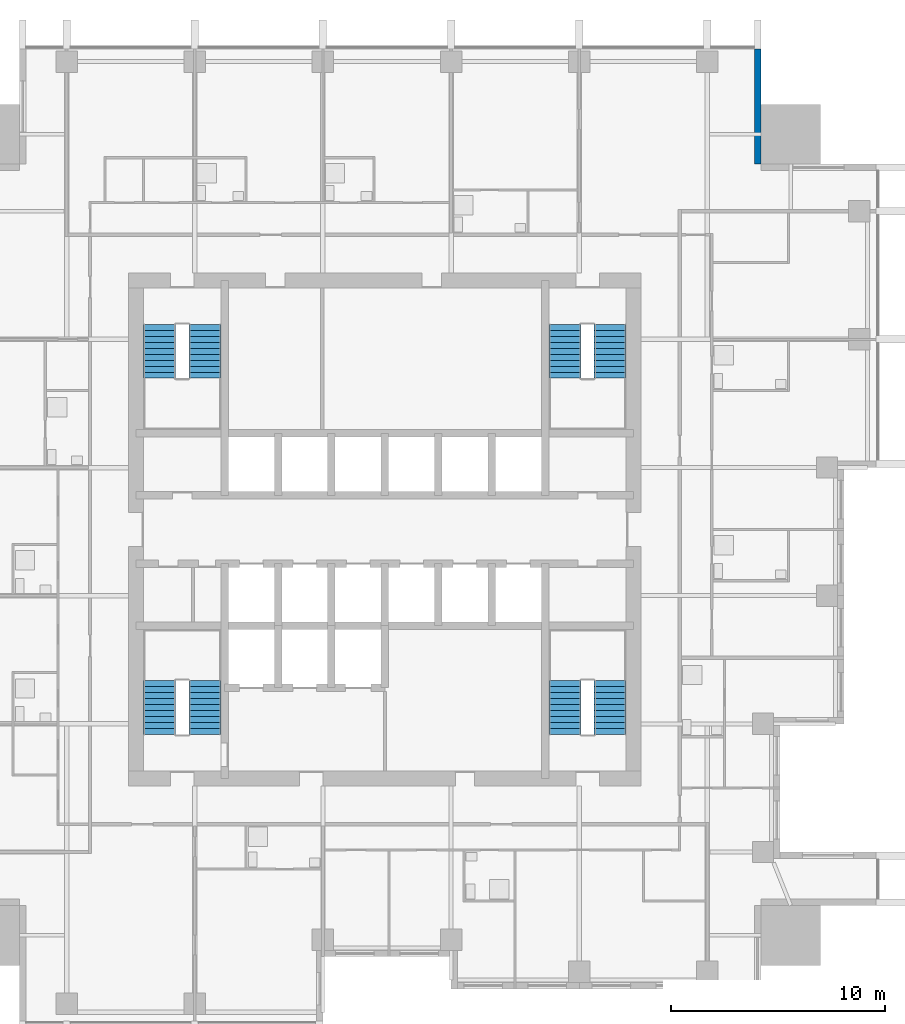
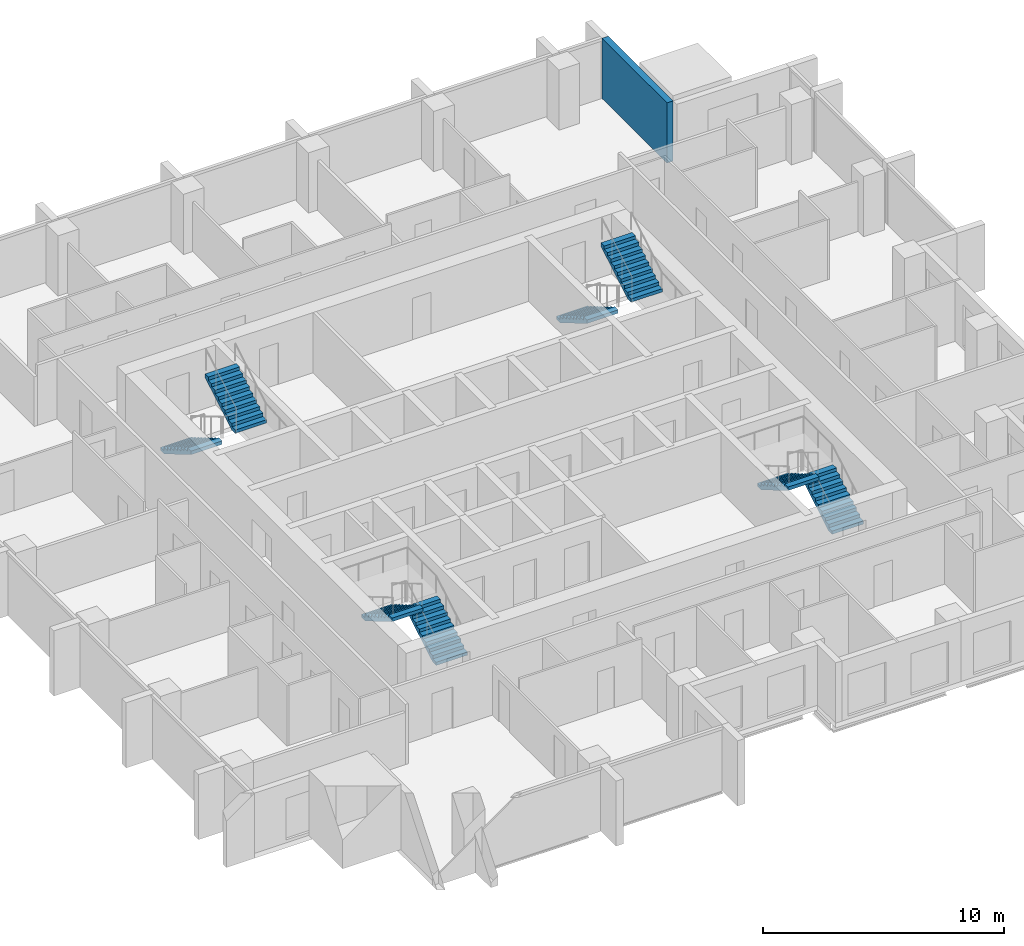
# One storey, part 8 of 10: 8 stair flights, 1 wall, 4 elements without a shape of their own.
"""IFC4 building model written with IfcOpenShell, lengths in metres."""

import ifcopenshell
import ifcopenshell.guid

model = None  # the IFC model being written
_history = None  # IfcOwnerHistory: only IFC2X3 demands one
_inside = {}  # id of a spatial element -> (the spatial element, [elements in it])
_under = {}  # id of a project, library or spatial element -> (it, [spatial elements below it])
_declared = {}  # id of a project -> (the project, [libraries it declares])
_typed = {}  # id of a type object -> (the type object, [elements of that type])
_made_of = {}  # id of a material, layer set ... -> (it, [elements and type objects made of it])


def new_model(schema):
    """Start an empty IFC model of exactly this schema.

    Asked for "IFC4X3", IfcOpenShell would pick the latest addendum, in which some entities
    have other attributes; the version numbers below select the first issue.
    IFC2X3 requires an IfcOwnerHistory on every rooted entity: one is made here for all.
    """
    global model, _history
    if schema == "IFC4X3":
        model = ifcopenshell.file(schema_version=(4, 3, 0, 0))
    else:
        model = ifcopenshell.file(schema=schema)
    _inside.clear()
    _under.clear()
    _declared.clear()
    _typed.clear()
    _made_of.clear()
    _history = None
    if model.schema == "IFC2X3":
        org = make("IfcOrganization", Name="unknown")
        user = make(
            "IfcPersonAndOrganization",
            ThePerson=make("IfcPerson", FamilyName="unknown"),
            TheOrganization=org,
        )
        app = make(
            "IfcApplication",
            ApplicationDeveloper=org,
            Version="unknown",
            ApplicationFullName="unknown",
            ApplicationIdentifier="unknown",
        )
        _history = make(
            "IfcOwnerHistory",
            OwningUser=user,
            OwningApplication=app,
            ChangeAction="ADDED",
            CreationDate=0,
        )
    return model


def make(cls, **values):
    """One entity of the class cls with the attributes given. An attribute that is None is left unset."""
    return model.create_entity(
        cls, **{name: value for name, value in values.items() if value is not None}
    )


def rooted(cls, **values):
    """An entity with a GlobalId (a new one), such as an element, a storey or a relation."""
    return make(cls, GlobalId=ifcopenshell.guid.new(), OwnerHistory=_history, **values)


def si_unit(unit_type, name, prefix=None):
    """IfcSIUnit, for example si_unit("LENGTHUNIT", "METRE", prefix="MILLI")."""
    return make("IfcSIUnit", UnitType=unit_type, Prefix=prefix, Name=name)


def assignment(units):
    """IfcUnitAssignment: the units of a project."""
    return None if units is None else make("IfcUnitAssignment", Units=units)


def point(xyz):
    """IfcCartesianPoint."""
    return None if xyz is None else make("IfcCartesianPoint", Coordinates=xyz)


def direction(xyz):
    """IfcDirection."""
    return None if xyz is None else make("IfcDirection", DirectionRatios=xyz)


def frame(location, z_axis=None, x_axis=None):
    """IfcAxis2Placement3D, a coordinate frame: its origin and axes. An axis left out is left unset."""
    return make(
        "IfcAxis2Placement3D",
        Location=point(location),
        Axis=direction(z_axis),
        RefDirection=direction(x_axis),
    )


def frame_2d(location, x_axis=None):
    """IfcAxis2Placement2D, a coordinate frame in the plane: its origin and x axis."""
    return make(
        "IfcAxis2Placement2D", Location=point(location), RefDirection=direction(x_axis)
    )


def origin():
    """The frame at (0, 0, 0) with its axes left unset."""
    return frame((0.0, 0.0, 0.0))


def place(relative_to, where):
    """IfcLocalPlacement: puts the frame where relative to a parent placement (None: the world)."""
    return make(
        "IfcLocalPlacement", PlacementRelTo=relative_to, RelativePlacement=where
    )


def context(
    kind, dimensions, precision=None, world=None, true_north=None, identifier=None
):
    """IfcGeometricRepresentationContext, for example the 3D "Model" context."""
    return make(
        "IfcGeometricRepresentationContext",
        ContextIdentifier=identifier,
        ContextType=kind,
        CoordinateSpaceDimension=dimensions,
        Precision=precision,
        WorldCoordinateSystem=world,
        TrueNorth=true_north,
    )


def subcontext(parent, identifier, kind, view, scale=None):
    """IfcGeometricRepresentationSubContext, for example "Body" below "Model"."""
    return make(
        "IfcGeometricRepresentationSubContext",
        ContextIdentifier=identifier,
        ContextType=kind,
        ParentContext=parent,
        TargetScale=scale,
        TargetView=view,
    )


def project(units=None, contexts=None):
    """IfcProject with its units and contexts."""
    return rooted(
        "IfcProject",
        Name="project",
        RepresentationContexts=contexts,
        UnitsInContext=assignment(units),
    )


def spatial(cls, under=None, at=None, **own):
    """A site, building, storey or space (cls), placed at a placement, below another one or the project."""
    s = rooted(cls, ObjectPlacement=at, **own)
    if under is not None:
        _under.setdefault(under.id(), (under, []))[1].append(s)
    return s


def polyline(points):
    """IfcPolyline through the points."""
    return make("IfcPolyline", Points=[point(p) for p in points])


def profile(cls, at=None, kind="AREA", **sizes):
    """A parametric profile (cls). Its sizes go by their IFC names, for example OverallWidth=200.0."""
    return make(cls, ProfileType=kind, Position=at, **sizes)


def rectangle(**sizes):
    """IfcRectangleProfileDef."""
    return profile("IfcRectangleProfileDef", **sizes)


def outline(outer, holes=None, kind="AREA"):
    """IfcArbitraryClosedProfileDef: a profile drawn as a closed curve; with holes, ...WithVoids."""
    if holes is None:
        return make("IfcArbitraryClosedProfileDef", ProfileType=kind, OuterCurve=outer)
    return make(
        "IfcArbitraryProfileDefWithVoids",
        ProfileType=kind,
        OuterCurve=outer,
        InnerCurves=holes,
    )


def extrude(swept, where, along, depth):
    """IfcExtrudedAreaSolid: the profile swept, set in the frame where, extruded along a direction by depth."""
    return make(
        "IfcExtrudedAreaSolid",
        SweptArea=swept,
        Position=where,
        ExtrudedDirection=direction(along),
        Depth=depth,
    )


def shape(context_of_items, identifier, shape_type, items):
    """IfcShapeRepresentation: the items that make up one representation, for example the "Body"."""
    return make(
        "IfcShapeRepresentation",
        ContextOfItems=context_of_items,
        RepresentationIdentifier=identifier,
        RepresentationType=shape_type,
        Items=items,
    )


def material(Name=None, Category=None):
    """IfcMaterial."""
    return make("IfcMaterial", Name=Name, Category=Category)


def layer(
    of_material, thickness, ventilated=None, Name=None, Category=None, Priority=None
):
    """IfcMaterialLayer: one layer of a wall or slab, of a material (None: an air gap)."""
    return make(
        "IfcMaterialLayer",
        Material=of_material,
        LayerThickness=thickness,
        IsVentilated=ventilated,
        Name=Name,
        Category=Category,
        Priority=Priority,
    )


def layer_set(layers, Name=None):
    """IfcMaterialLayerSet."""
    return make("IfcMaterialLayerSet", MaterialLayers=layers, LayerSetName=Name)


def made_of(thing, what):
    """Note that an element or type object is made of a material, layer set ...; save() writes the relation."""
    if what is not None:
        _made_of.setdefault(what.id(), (what, []))[1].append(thing)
    return thing


def type_object(cls, material=None, **own):
    """A type object (cls), such as IfcWallType, which elements share."""
    return made_of(rooted(cls, **own), material)


def element(
    cls,
    number,
    at=None,
    inside=None,
    cuts=None,
    type_object=None,
    material=None,
    context=None,
    identifier="Body",
    shape_type=None,
    held_by="IfcProductDefinitionShape",
    body=None,
    shapes=None,
    **own,
):
    """One element of the class cls, such as IfcWall. Its Tag is "e" and its number.

    at: its placement. inside: the storey or other place that contains it. cuts: it is an
    opening in that element (IfcRelVoidsElement). A single representation is given by context,
    identifier, shape_type and body (its items); several are given by shapes. held_by: the class
    of the entity that holds the representations. save() writes the other relations.
    """
    e = rooted(cls, Tag="e%d" % number, ObjectPlacement=at, **own)
    if body is not None:
        shapes = [shape(context, identifier, shape_type, body)]
    if shapes is not None:
        e.Representation = make(held_by, Representations=shapes)
    if inside is not None:
        _inside.setdefault(inside.id(), (inside, []))[1].append(e)
    if cuts is not None:
        rooted(
            "IfcRelVoidsElement", RelatingBuildingElement=cuts, RelatedOpeningElement=e
        )
    if type_object is not None:
        _typed.setdefault(type_object.id(), (type_object, []))[1].append(e)
    return made_of(e, material)


def aggregate(whole, parts):
    """IfcRelAggregates: a whole, such as a stair, and the parts it consists of."""
    return rooted("IfcRelAggregates", RelatingObject=whole, RelatedObjects=parts)


def save(model, path):
    """Write the relations noted so far, then the file.

    IfcRelAggregates (storeys below a building ...), IfcRelContainedInSpatialStructure (elements
    in a storey), IfcRelDefinesByType, IfcRelAssociatesMaterial and IfcRelDeclares: one each for
    every whole, place, type object, material and project.
    """
    for whole, parts in _under.values():
        aggregate(whole, parts)
    for where, things in _inside.values():
        rooted(
            "IfcRelContainedInSpatialStructure",
            RelatedElements=things,
            RelatingStructure=where,
        )
    for kind, things in _typed.values():
        rooted("IfcRelDefinesByType", RelatedObjects=things, RelatingType=kind)
    for what, things in _made_of.values():
        rooted("IfcRelAssociatesMaterial", RelatedObjects=things, RelatingMaterial=what)
    for by, libraries in _declared.values():
        rooted("IfcRelDeclares", RelatingContext=by, RelatedDefinitions=libraries)
    model.write(path)


model = new_model("IFC4")

# Units and contexts
model_context = context("Model", 3, precision=1e-05, world=origin(), true_north=direction((0.0, 1.0)))
body_context = subcontext(model_context, "Body", "Model", "MODEL_VIEW")
ifc_project = project(units=[si_unit("LENGTHUNIT", "METRE"), si_unit("AREAUNIT", "SQUARE_METRE"), si_unit("VOLUMEUNIT", "CUBIC_METRE"), si_unit("PLANEANGLEUNIT", "RADIAN"), si_unit("MASSUNIT", "GRAM", prefix="KILO")], contexts=[model_context])

# Site, building, storey
site_placement = place(None, origin())
site = spatial("IfcSite", under=ifc_project, at=site_placement, CompositionType="ELEMENT")
building_placement = place(site_placement, origin())
building = spatial("IfcBuilding", under=site, at=building_placement, Name="Amberfall Residences", CompositionType="ELEMENT")
storey_placement = place(building_placement, frame((0.0, 0.0, 137.199951171875)))
storey = spatial("IfcBuildingStorey", under=building, at=storey_placement, Name="L36", CompositionType="ELEMENT", Elevation=137.199951171875)

# Wall
ifc_material_1 = material(Name="Pale stone cladding on insulated backing", Category="masonry")
ifc_layer = layer(ifc_material_1, 0.300048828125)
ifc_layer_set = layer_set([ifc_layer], Name="Bronze clad wall 300")
wall_type = type_object("IfcWallType", Name="Bronze clad wall 300", PredefinedType="SOLIDWALL", material=ifc_layer_set)
wall_placement = place(storey_placement, frame((91.949951171875, 62.60009765625, 0.0), z_axis=(0.0, 0.0, 1.0), x_axis=(0.0, 1.0, 0.0)))
element("IfcWall", 1, at=wall_placement, inside=storey, type_object=wall_type, Name="External wall L36 NE", PredefinedType="SOLIDWALL", context=body_context, shape_type="SweptSolid", body=[
    extrude(rectangle(XDim=5.39990234375, YDim=0.300048828125, at=frame_2d((2.699951171875, 0.0))), origin(), (0.0, 0.0, 1.0), 3.050048828125),
])

# Stair, stair flights
ifc_material_2 = material(Name="Concrete C40", Category="concrete")
stair_type = type_object("IfcStairType", Name="Exit stair 20 risers 165.0 mm", PredefinedType="HALF_TURN_STAIR", material=ifc_material_2)
stair_1_placement = place(storey_placement, origin())
stair_1 = element("IfcStair", 2, at=stair_1_placement, inside=storey, type_object=stair_type, Name="L36 Exit stair 1", PredefinedType="HALF_TURN_STAIR")
stair_flight_type = type_object("IfcStairFlightType", Name="Stair flight 10 risers 165.0 mm", PredefinedType="STRAIGHT", material=ifc_material_2)
stair_flight_1_placement = place(storey_placement, frame((66.074951171875, 35.89990234375, 0.0), z_axis=(0.0, 0.0, 1.0), x_axis=(0.0, 1.0, 0.0)))
stair_flight_1 = element("IfcStairFlight", 3, at=stair_flight_1_placement, type_object=stair_flight_type, Name="ST3 flight 1", NumberOfRisers=10, NumberOfTreads=9, PredefinedType="STRAIGHT", RiserHeight=0.165, TreadLength=0.28, context=body_context, shape_type="SweptSolid", body=[
    extrude(outline(polyline([(0.0, 0.0), (0.0, 0.1650390625), (0.280029296875, 0.1650390625), (0.280029296875, 0.330078125), (0.56005859375, 0.330078125), (0.56005859375, 0.4951171875), (0.840087890625, 0.4951171875), (0.840087890625, 0.659912109375), (1.1201171875, 0.659912109375), (1.1201171875, 0.824951171875), (1.39990234375, 0.824951171875), (1.39990234375, 0.989990234375), (1.679931640625, 0.989990234375), (1.679931640625, 1.155029296875), (1.9599609375, 1.155029296875), (1.9599609375, 1.320068359375), (2.239990234375, 1.320068359375), (2.239990234375, 1.485107421875), (2.52001953125, 1.485107421875), (2.52001953125, 1.64990234375), (2.52001953125, 1.31103515625), (0.295166015625, 0.0), (0.0, 0.0)])), frame((0.0, 0.75, 0.0), z_axis=(0.0, -1.0, 0.0), x_axis=(1.0, 0.0, 0.0)), (0.0, 0.0, 1.0), 1.5),
])
stair_flight_2_placement = place(storey_placement, frame((63.949951171875, 38.419921875, 1.650146484375), z_axis=(0.0, 0.0, 1.0), x_axis=(0.0, -1.0, 0.0)))
stair_flight_2 = element("IfcStairFlight", 4, at=stair_flight_2_placement, type_object=stair_flight_type, Name="ST3 flight 2", NumberOfRisers=10, NumberOfTreads=9, PredefinedType="STRAIGHT", RiserHeight=0.165, TreadLength=0.28, context=body_context, shape_type="SweptSolid", body=[
    extrude(outline(polyline([(0.0, 0.0), (0.0, 0.1650390625), (0.280029296875, 0.1650390625), (0.280029296875, 0.330078125), (0.56005859375, 0.330078125), (0.56005859375, 0.4951171875), (0.840087890625, 0.4951171875), (0.840087890625, 0.659912109375), (1.1201171875, 0.659912109375), (1.1201171875, 0.824951171875), (1.39990234375, 0.824951171875), (1.39990234375, 0.989990234375), (1.679931640625, 0.989990234375), (1.679931640625, 1.155029296875), (1.9599609375, 1.155029296875), (1.9599609375, 1.320068359375), (2.239990234375, 1.320068359375), (2.239990234375, 1.485107421875), (2.52001953125, 1.485107421875), (2.52001953125, 1.64990234375), (2.52001953125, 1.31103515625), (0.295166015625, 0.0), (0.0, 0.0)])), frame((0.0, 0.75, 0.0), z_axis=(0.0, -1.0, 0.0), x_axis=(1.0, 0.0, 0.0)), (0.0, 0.0, 1.0), 1.5),
])
aggregate(stair_1, [stair_flight_1, stair_flight_2])

stair_2_placement = place(storey_placement, origin())
stair_2 = element("IfcStair", 5, at=stair_2_placement, inside=storey, type_object=stair_type, Name="L36 Exit stair 2", PredefinedType="HALF_TURN_STAIR")
stair_flight_3_placement = place(storey_placement, frame((85.050048828125, 35.89990234375, 0.0), z_axis=(0.0, 0.0, 1.0), x_axis=(0.0, 1.0, 0.0)))
stair_flight_3 = element("IfcStairFlight", 6, at=stair_flight_3_placement, type_object=stair_flight_type, Name="ST3 flight 1", NumberOfRisers=10, NumberOfTreads=9, PredefinedType="STRAIGHT", RiserHeight=0.165, TreadLength=0.28, context=body_context, shape_type="SweptSolid", body=[
    extrude(outline(polyline([(0.0, 0.0), (0.0, 0.1650390625), (0.280029296875, 0.1650390625), (0.280029296875, 0.330078125), (0.56005859375, 0.330078125), (0.56005859375, 0.4951171875), (0.840087890625, 0.4951171875), (0.840087890625, 0.659912109375), (1.1201171875, 0.659912109375), (1.1201171875, 0.824951171875), (1.39990234375, 0.824951171875), (1.39990234375, 0.989990234375), (1.679931640625, 0.989990234375), (1.679931640625, 1.155029296875), (1.9599609375, 1.155029296875), (1.9599609375, 1.320068359375), (2.239990234375, 1.320068359375), (2.239990234375, 1.485107421875), (2.52001953125, 1.485107421875), (2.52001953125, 1.64990234375), (2.52001953125, 1.31103515625), (0.295166015625, 0.0), (0.0, 0.0)])), frame((0.0, 0.75, 0.0), z_axis=(0.0, -1.0, 0.0), x_axis=(1.0, 0.0, 0.0)), (0.0, 0.0, 1.0), 1.5),
])
stair_flight_4_placement = place(storey_placement, frame((82.925048828125, 38.419921875, 1.650146484375), z_axis=(0.0, 0.0, 1.0), x_axis=(0.0, -1.0, 0.0)))
stair_flight_4 = element("IfcStairFlight", 7, at=stair_flight_4_placement, type_object=stair_flight_type, Name="ST3 flight 2", NumberOfRisers=10, NumberOfTreads=9, PredefinedType="STRAIGHT", RiserHeight=0.165, TreadLength=0.28, context=body_context, shape_type="SweptSolid", body=[
    extrude(outline(polyline([(0.0, 0.0), (0.0, 0.1650390625), (0.280029296875, 0.1650390625), (0.280029296875, 0.330078125), (0.56005859375, 0.330078125), (0.56005859375, 0.4951171875), (0.840087890625, 0.4951171875), (0.840087890625, 0.659912109375), (1.1201171875, 0.659912109375), (1.1201171875, 0.824951171875), (1.39990234375, 0.824951171875), (1.39990234375, 0.989990234375), (1.679931640625, 0.989990234375), (1.679931640625, 1.155029296875), (1.9599609375, 1.155029296875), (1.9599609375, 1.320068359375), (2.239990234375, 1.320068359375), (2.239990234375, 1.485107421875), (2.52001953125, 1.485107421875), (2.52001953125, 1.64990234375), (2.52001953125, 1.31103515625), (0.295166015625, 0.0), (0.0, 0.0)])), frame((0.0, 0.75, 0.0), z_axis=(0.0, -1.0, 0.0), x_axis=(1.0, 0.0, 0.0)), (0.0, 0.0, 1.0), 1.5),
])
aggregate(stair_2, [stair_flight_3, stair_flight_4])

stair_3_placement = place(storey_placement, origin())
stair_3 = element("IfcStair", 8, at=stair_3_placement, inside=storey, type_object=stair_type, Name="L36 Exit stair 3", PredefinedType="HALF_TURN_STAIR")
stair_flight_5_placement = place(storey_placement, frame((82.925048828125, 55.10009765625, 0.0), z_axis=(0.0, 0.0, 1.0), x_axis=(0.0, -1.0, 0.0)))
stair_flight_5 = element("IfcStairFlight", 9, at=stair_flight_5_placement, type_object=stair_flight_type, Name="ST3 flight 1", NumberOfRisers=10, NumberOfTreads=9, PredefinedType="STRAIGHT", RiserHeight=0.165, TreadLength=0.28, context=body_context, shape_type="SweptSolid", body=[
    extrude(outline(polyline([(0.0, 0.0), (0.0, 0.1650390625), (0.280029296875, 0.1650390625), (0.280029296875, 0.330078125), (0.56005859375, 0.330078125), (0.56005859375, 0.4951171875), (0.840087890625, 0.4951171875), (0.840087890625, 0.659912109375), (1.1201171875, 0.659912109375), (1.1201171875, 0.824951171875), (1.39990234375, 0.824951171875), (1.39990234375, 0.989990234375), (1.679931640625, 0.989990234375), (1.679931640625, 1.155029296875), (1.9599609375, 1.155029296875), (1.9599609375, 1.320068359375), (2.239990234375, 1.320068359375), (2.239990234375, 1.485107421875), (2.52001953125, 1.485107421875), (2.52001953125, 1.64990234375), (2.52001953125, 1.31103515625), (0.295166015625, 0.0), (0.0, 0.0)])), frame((0.0, 0.75, 0.0), z_axis=(0.0, -1.0, 0.0), x_axis=(1.0, 0.0, 0.0)), (0.0, 0.0, 1.0), 1.5),
])
stair_flight_6_placement = place(storey_placement, frame((85.050048828125, 52.580078125, 1.650146484375), z_axis=(0.0, 0.0, 1.0), x_axis=(0.0, 1.0, 0.0)))
stair_flight_6 = element("IfcStairFlight", 10, at=stair_flight_6_placement, type_object=stair_flight_type, Name="ST3 flight 2", NumberOfRisers=10, NumberOfTreads=9, PredefinedType="STRAIGHT", RiserHeight=0.165, TreadLength=0.28, context=body_context, shape_type="SweptSolid", body=[
    extrude(outline(polyline([(0.0, 0.0), (0.0, 0.1650390625), (0.280029296875, 0.1650390625), (0.280029296875, 0.330078125), (0.56005859375, 0.330078125), (0.56005859375, 0.4951171875), (0.840087890625, 0.4951171875), (0.840087890625, 0.659912109375), (1.1201171875, 0.659912109375), (1.1201171875, 0.824951171875), (1.39990234375, 0.824951171875), (1.39990234375, 0.989990234375), (1.679931640625, 0.989990234375), (1.679931640625, 1.155029296875), (1.9599609375, 1.155029296875), (1.9599609375, 1.320068359375), (2.239990234375, 1.320068359375), (2.239990234375, 1.485107421875), (2.52001953125, 1.485107421875), (2.52001953125, 1.64990234375), (2.52001953125, 1.31103515625), (0.295166015625, 0.0), (0.0, 0.0)])), frame((0.0, 0.75, 0.0), z_axis=(0.0, -1.0, 0.0), x_axis=(1.0, 0.0, 0.0)), (0.0, 0.0, 1.0), 1.5),
])
aggregate(stair_3, [stair_flight_5, stair_flight_6])

stair_4_placement = place(storey_placement, origin())
stair_4 = element("IfcStair", 11, at=stair_4_placement, inside=storey, type_object=stair_type, Name="L36 Exit stair 4", PredefinedType="HALF_TURN_STAIR")
stair_flight_7_placement = place(storey_placement, frame((63.949951171875, 55.10009765625, 0.0), z_axis=(0.0, 0.0, 1.0), x_axis=(0.0, -1.0, 0.0)))
stair_flight_7 = element("IfcStairFlight", 12, at=stair_flight_7_placement, type_object=stair_flight_type, Name="ST3 flight 1", NumberOfRisers=10, NumberOfTreads=9, PredefinedType="STRAIGHT", RiserHeight=0.165, TreadLength=0.28, context=body_context, shape_type="SweptSolid", body=[
    extrude(outline(polyline([(0.0, 0.0), (0.0, 0.1650390625), (0.280029296875, 0.1650390625), (0.280029296875, 0.330078125), (0.56005859375, 0.330078125), (0.56005859375, 0.4951171875), (0.840087890625, 0.4951171875), (0.840087890625, 0.659912109375), (1.1201171875, 0.659912109375), (1.1201171875, 0.824951171875), (1.39990234375, 0.824951171875), (1.39990234375, 0.989990234375), (1.679931640625, 0.989990234375), (1.679931640625, 1.155029296875), (1.9599609375, 1.155029296875), (1.9599609375, 1.320068359375), (2.239990234375, 1.320068359375), (2.239990234375, 1.485107421875), (2.52001953125, 1.485107421875), (2.52001953125, 1.64990234375), (2.52001953125, 1.31103515625), (0.295166015625, 0.0), (0.0, 0.0)])), frame((0.0, 0.75, 0.0), z_axis=(0.0, -1.0, 0.0), x_axis=(1.0, 0.0, 0.0)), (0.0, 0.0, 1.0), 1.5),
])
stair_flight_8_placement = place(storey_placement, frame((66.074951171875, 52.580078125, 1.650146484375), z_axis=(0.0, 0.0, 1.0), x_axis=(0.0, 1.0, 0.0)))
stair_flight_8 = element("IfcStairFlight", 13, at=stair_flight_8_placement, type_object=stair_flight_type, Name="ST3 flight 2", NumberOfRisers=10, NumberOfTreads=9, PredefinedType="STRAIGHT", RiserHeight=0.165, TreadLength=0.28, context=body_context, shape_type="SweptSolid", body=[
    extrude(outline(polyline([(0.0, 0.0), (0.0, 0.1650390625), (0.280029296875, 0.1650390625), (0.280029296875, 0.330078125), (0.56005859375, 0.330078125), (0.56005859375, 0.4951171875), (0.840087890625, 0.4951171875), (0.840087890625, 0.659912109375), (1.1201171875, 0.659912109375), (1.1201171875, 0.824951171875), (1.39990234375, 0.824951171875), (1.39990234375, 0.989990234375), (1.679931640625, 0.989990234375), (1.679931640625, 1.155029296875), (1.9599609375, 1.155029296875), (1.9599609375, 1.320068359375), (2.239990234375, 1.320068359375), (2.239990234375, 1.485107421875), (2.52001953125, 1.485107421875), (2.52001953125, 1.64990234375), (2.52001953125, 1.31103515625), (0.295166015625, 0.0), (0.0, 0.0)])), frame((0.0, 0.75, 0.0), z_axis=(0.0, -1.0, 0.0), x_axis=(1.0, 0.0, 0.0)), (0.0, 0.0, 1.0), 1.5),
])
aggregate(stair_4, [stair_flight_7, stair_flight_8])

save(model, "model.ifc")
